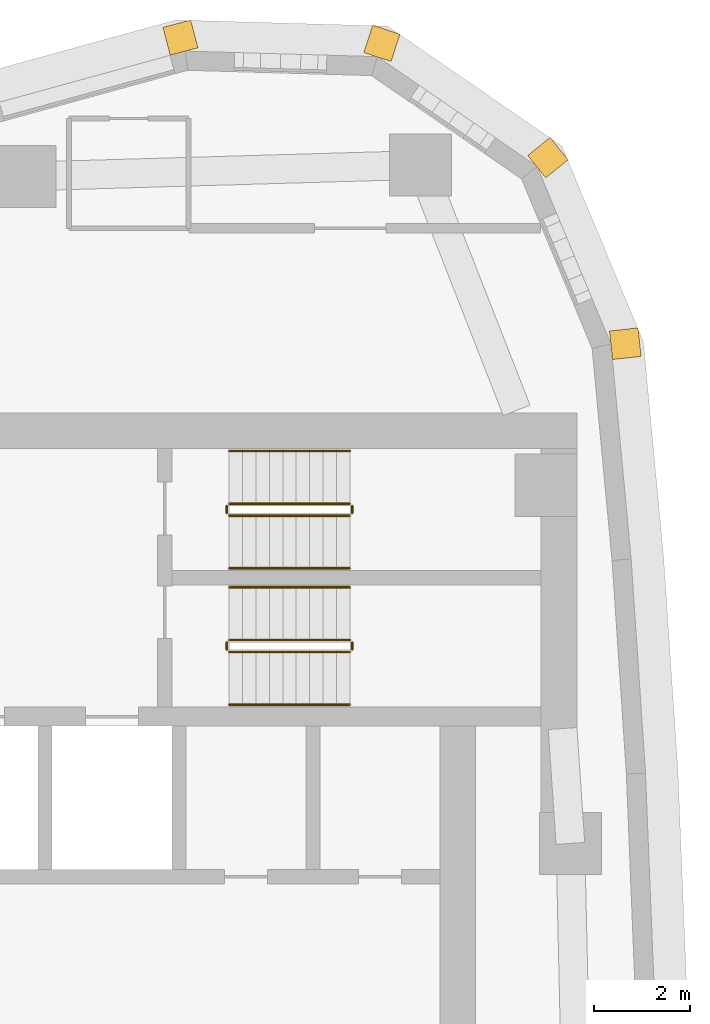
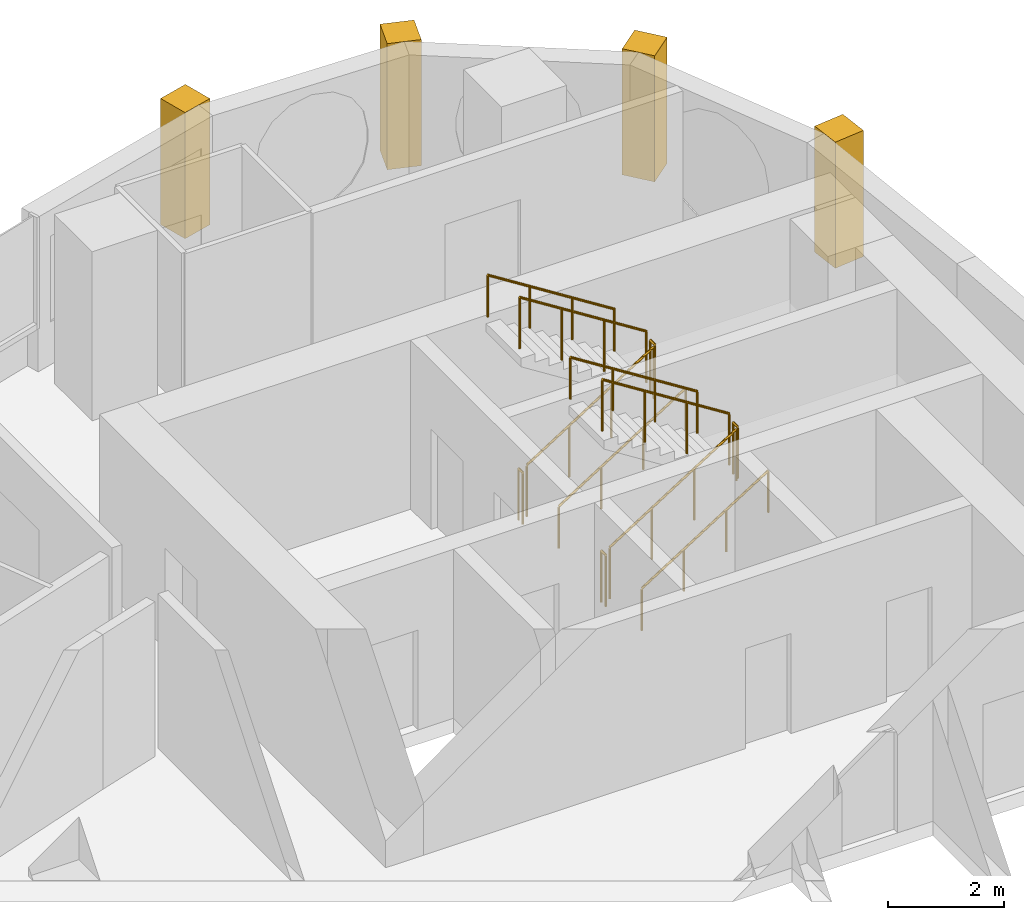
# One storey, part 16 of 16: 12 railings, 4 coverings.
"""IFC4 building model written with IfcOpenShell, lengths in metres."""

from ifc_helpers import new_model, si_unit, direction, frame, frame_2d, origin, origin_2d, place, context, subcontext, project, spatial, rectangle, circle, extrude, material, layer, layer_set, type_object, element, save


model = new_model("IFC4")

# Units and contexts
model_context = context("Model", 3, precision=1e-05, world=origin(), true_north=direction((0.0, 1.0)))
body_context = subcontext(model_context, "Body", "Model", "MODEL_VIEW")
ifc_project = project(units=[si_unit("LENGTHUNIT", "METRE"), si_unit("AREAUNIT", "SQUARE_METRE"), si_unit("VOLUMEUNIT", "CUBIC_METRE"), si_unit("PLANEANGLEUNIT", "RADIAN"), si_unit("MASSUNIT", "GRAM", prefix="KILO")], contexts=[model_context])

# Site, building, storey
site_placement = place(None, origin())
site = spatial("IfcSite", under=ifc_project, at=site_placement, CompositionType="ELEMENT")
building_placement = place(site_placement, origin())
building = spatial("IfcBuilding", under=site, at=building_placement, Name="Ostrand Prow Hotel Tower", CompositionType="ELEMENT")
storey_placement = place(building_placement, frame((0.0, 0.0, 189.699951171875)))
storey = spatial("IfcBuildingStorey", under=building, at=storey_placement, Name="L47", CompositionType="ELEMENT", Elevation=189.699951171875)

# Coverings
ifc_material_1 = material(Name="Limestone cladding", Category="masonry")
ifc_layer = layer(ifc_material_1, 0.60009765625)
ifc_layer_set = layer_set([ifc_layer], Name="Limestone cladding")
covering_type = type_object("IfcCoveringType", Name="Precast stone prow rib 600x600", PredefinedType="CLADDING", material=ifc_layer_set)
for number, where, z_axis, x_axis, name in (
    (1, (65.18017578125, 17.9111328125, 0.60009765625), (0.0, 0.0, 1.0), (0.994255138911, 0.107036062846, 0.0), "Stone corner rib 13a"),
    (2, (63.6279296875, 21.643798828125, 0.60009765625), (0.0, 0.0, 1.0), (0.776922530767, 0.62959620487, 0.0), "Stone corner rib 14a"),
    (3, (60.297607421875, 23.935302734375, 0.60009765625), (0.0, 0.0, 1.0), (0.310484329644, 0.950578498098, 0.0), "Stone corner rib 15a"),
    (4, (56.256591796875, 24.05126953125, 0.60009765625), (0.0, 0.0, 1.0), (-0.255154261231, 0.966900358349, 0.0), "Stone corner rib 15b"),
):
    element("IfcCovering", number, at=place(storey_placement, frame(where, z_axis=z_axis, x_axis=x_axis)), inside=storey, type_object=covering_type, Name=name, PredefinedType="CLADDING", context=body_context, shape_type="SweptSolid", body=[
        extrude(rectangle(XDim=0.599853515625, YDim=0.60009765625, at=frame_2d((0.2998046875, 0.0))), origin(), (0.0, 0.0, 1.0), 2.64990234375),
    ])

# Railings
ifc_material_2 = material(Name="Painted steel", Category="steel")
railing_type_1 = type_object("IfcRailingType", Name="Stair guard 1100", PredefinedType="GUARDRAIL", material=ifc_material_2)
railing_1_placement = place(storey_placement, frame((57.199951171875, 11.5, 0.177490234375)))
element("IfcRailing", 5, at=railing_1_placement, inside=storey, type_object=railing_type_1, Name="L47 ST1C stair guard 1", PredefinedType="GUARDRAIL", context=body_context, shape_type="SweptSolid", body=[
    extrude(circle(Radius=0.02392578125, at=origin_2d()), frame((0.0, 0.0, 1.076171875), z_axis=(0.84456994832, 0.0, 0.535445237532), x_axis=(0.0, 1.0, 0.0)), (0.0, 0.0, 1.0), 2.98388671875),
    extrude(circle(Radius=0.02099609375, at=origin_2d()), origin(), (0.0, 0.0, 1.0), 1.052001953125),
    extrude(circle(Radius=0.02099609375, at=origin_2d()), frame((0.840087890625, 0.0, 0.532470703125)), (0.0, 0.0, 1.0), 1.052001953125),
    extrude(circle(Radius=0.02099609375, at=origin_2d()), frame((1.679931640625, 0.0, 1.065185546875)), (0.0, 0.0, 1.0), 1.052001953125),
    extrude(circle(Radius=0.02099609375, at=origin_2d()), frame((2.52001953125, 0.0, 1.59765625)), (0.0, 0.0, 1.0), 1.052001953125),
])
railing_2_placement = place(storey_placement, frame((59.77001953125, 11.550048828125, 1.775146484375)))
element("IfcRailing", 6, at=railing_2_placement, inside=storey, type_object=railing_type_1, Name="L47 ST1C stair guard 2", PredefinedType="GUARDRAIL", context=body_context, shape_type="SweptSolid", body=[
    extrude(circle(Radius=0.02392578125, at=origin_2d()), frame((0.0, 0.0, 1.076171875), z_axis=(0.0, 1.0, 0.0), x_axis=(-1.0, 0.0, 0.0)), (0.0, 0.0, 1.0), 0.14990234375),
    extrude(circle(Radius=0.02099609375, at=origin_2d()), origin(), (0.0, 0.0, 1.0), 1.052001953125),
    extrude(circle(Radius=0.02099609375, at=origin_2d()), frame((0.0, 0.14990234375, 0.0)), (0.0, 0.0, 1.0), 1.052001953125),
])
railing_3_placement = place(storey_placement, frame((59.719970703125, 11.75, 1.95263671875)))
element("IfcRailing", 7, at=railing_3_placement, inside=storey, type_object=railing_type_1, Name="L47 ST1C stair guard 3", PredefinedType="GUARDRAIL", context=body_context, shape_type="SweptSolid", body=[
    extrude(circle(Radius=0.02392578125, at=origin_2d()), frame((0.0, 0.0, 1.076171875), z_axis=(-0.84460694969, 0.0, 0.535386869969), x_axis=(0.0, -1.0, 0.0)), (0.0, 0.0, 1.0), 2.983642578125),
    extrude(circle(Radius=0.02099609375, at=origin_2d()), origin(), (0.0, 0.0, 1.0), 1.052001953125),
    extrude(circle(Radius=0.02099609375, at=origin_2d()), frame((-0.840087890625, 0.0, 0.532470703125)), (0.0, 0.0, 1.0), 1.052001953125),
    extrude(circle(Radius=0.02099609375, at=origin_2d()), frame((-1.679931640625, 0.0, 1.06494140625)), (0.0, 0.0, 1.0), 1.052001953125),
    extrude(circle(Radius=0.02099609375, at=origin_2d()), frame((-2.52001953125, 0.0, 1.597412109375)), (0.0, 0.0, 1.0), 1.052001953125),
])
railing_4_placement = place(storey_placement, frame((57.14990234375, 11.550048828125, 0.0)))
element("IfcRailing", 8, at=railing_4_placement, inside=storey, type_object=railing_type_1, Name="L47 ST1C stair guard 4", PredefinedType="GUARDRAIL", context=body_context, shape_type="SweptSolid", body=[
    extrude(circle(Radius=0.02392578125, at=origin_2d()), frame((0.0, 0.0, 1.076171875), z_axis=(0.0, 1.0, 0.0), x_axis=(-1.0, 0.0, 0.0)), (0.0, 0.0, 1.0), 0.14990234375),
    extrude(circle(Radius=0.02099609375, at=origin_2d()), origin(), (0.0, 0.0, 1.0), 1.052001953125),
    extrude(circle(Radius=0.02099609375, at=origin_2d()), frame((0.0, 0.14990234375, 0.0)), (0.0, 0.0, 1.0), 1.052001953125),
])
railing_5_placement = place(storey_placement, frame((57.199951171875, 14.35009765625, 0.177490234375)))
element("IfcRailing", 9, at=railing_5_placement, inside=storey, type_object=railing_type_1, Name="L47 ST3C stair guard 1", PredefinedType="GUARDRAIL", context=body_context, shape_type="SweptSolid", body=[
    extrude(circle(Radius=0.02392578125, at=origin_2d()), frame((0.0, 0.0, 1.076171875), z_axis=(0.84456994832, 0.0, 0.535445237532), x_axis=(0.0, 1.0, 0.0)), (0.0, 0.0, 1.0), 2.98388671875),
    extrude(circle(Radius=0.02099609375, at=origin_2d()), origin(), (0.0, 0.0, 1.0), 1.052001953125),
    extrude(circle(Radius=0.02099609375, at=origin_2d()), frame((0.840087890625, 0.0, 0.532470703125)), (0.0, 0.0, 1.0), 1.052001953125),
    extrude(circle(Radius=0.02099609375, at=origin_2d()), frame((1.679931640625, 0.0, 1.065185546875)), (0.0, 0.0, 1.0), 1.052001953125),
    extrude(circle(Radius=0.02099609375, at=origin_2d()), frame((2.52001953125, 0.0, 1.59765625)), (0.0, 0.0, 1.0), 1.052001953125),
])
railing_6_placement = place(storey_placement, frame((59.77001953125, 14.39990234375, 1.775146484375)))
element("IfcRailing", 10, at=railing_6_placement, inside=storey, type_object=railing_type_1, Name="L47 ST3C stair guard 2", PredefinedType="GUARDRAIL", context=body_context, shape_type="SweptSolid", body=[
    extrude(circle(Radius=0.02392578125, at=origin_2d()), frame((0.0, 0.0, 1.076171875), z_axis=(0.0, 1.0, 0.0), x_axis=(-1.0, 0.0, 0.0)), (0.0, 0.0, 1.0), 0.150146484375),
    extrude(circle(Radius=0.02099609375, at=origin_2d()), origin(), (0.0, 0.0, 1.0), 1.052001953125),
    extrude(circle(Radius=0.02099609375, at=origin_2d()), frame((0.0, 0.150146484375, 0.0)), (0.0, 0.0, 1.0), 1.052001953125),
])
railing_7_placement = place(storey_placement, frame((59.719970703125, 14.60009765625, 1.95263671875)))
element("IfcRailing", 11, at=railing_7_placement, inside=storey, type_object=railing_type_1, Name="L47 ST3C stair guard 3", PredefinedType="GUARDRAIL", context=body_context, shape_type="SweptSolid", body=[
    extrude(circle(Radius=0.02392578125, at=origin_2d()), frame((0.0, 0.0, 1.076171875), z_axis=(-0.84460694969, 0.0, 0.535386869969), x_axis=(0.0, -1.0, 0.0)), (0.0, 0.0, 1.0), 2.983642578125),
    extrude(circle(Radius=0.02099609375, at=origin_2d()), origin(), (0.0, 0.0, 1.0), 1.052001953125),
    extrude(circle(Radius=0.02099609375, at=origin_2d()), frame((-0.840087890625, 0.0, 0.532470703125)), (0.0, 0.0, 1.0), 1.052001953125),
    extrude(circle(Radius=0.02099609375, at=origin_2d()), frame((-1.679931640625, 0.0, 1.06494140625)), (0.0, 0.0, 1.0), 1.052001953125),
    extrude(circle(Radius=0.02099609375, at=origin_2d()), frame((-2.52001953125, 0.0, 1.597412109375)), (0.0, 0.0, 1.0), 1.052001953125),
])
railing_8_placement = place(storey_placement, frame((57.14990234375, 14.39990234375, 0.0)))
element("IfcRailing", 12, at=railing_8_placement, inside=storey, type_object=railing_type_1, Name="L47 ST3C stair guard 4", PredefinedType="GUARDRAIL", context=body_context, shape_type="SweptSolid", body=[
    extrude(circle(Radius=0.02392578125, at=origin_2d()), frame((0.0, 0.0, 1.076171875), z_axis=(0.0, 1.0, 0.0), x_axis=(-1.0, 0.0, 0.0)), (0.0, 0.0, 1.0), 0.150146484375),
    extrude(circle(Radius=0.02099609375, at=origin_2d()), origin(), (0.0, 0.0, 1.0), 1.052001953125),
    extrude(circle(Radius=0.02099609375, at=origin_2d()), frame((0.0, 0.150146484375, 0.0)), (0.0, 0.0, 1.0), 1.052001953125),
])
ifc_material_3 = material(Name="Stainless steel", Category="steel")
railing_type_2 = type_object("IfcRailingType", Name="Stair handrail 900", PredefinedType="HANDRAIL", material=ifc_material_3)
railing_9_placement = place(storey_placement, frame((57.199951171875, 10.39990234375, 0.177490234375)))
element("IfcRailing", 13, at=railing_9_placement, inside=storey, type_object=railing_type_2, Name="L47 ST1C stair handrail 1", PredefinedType="HANDRAIL", context=body_context, shape_type="SweptSolid", body=[
    extrude(circle(Radius=0.02392578125, at=origin_2d()), frame((0.0, 0.0, 0.8759765625), z_axis=(0.84456994832, 0.0, 0.535445237532), x_axis=(0.0, 1.0, 0.0)), (0.0, 0.0, 1.0), 2.98388671875),
    extrude(circle(Radius=0.02099609375, at=origin_2d()), origin(), (0.0, 0.0, 1.0), 0.851806640625),
    extrude(circle(Radius=0.02099609375, at=origin_2d()), frame((0.840087890625, 0.0, 0.532470703125)), (0.0, 0.0, 1.0), 0.851806640625),
    extrude(circle(Radius=0.02099609375, at=origin_2d()), frame((1.679931640625, 0.0, 1.065185546875)), (0.0, 0.0, 1.0), 0.851806640625),
    extrude(circle(Radius=0.02099609375, at=origin_2d()), frame((2.52001953125, 0.0, 1.59765625)), (0.0, 0.0, 1.0), 0.851806640625),
])
railing_10_placement = place(storey_placement, frame((59.719970703125, 12.85009765625, 1.95263671875)))
element("IfcRailing", 14, at=railing_10_placement, inside=storey, type_object=railing_type_2, Name="L47 ST1C stair handrail 2", PredefinedType="HANDRAIL", context=body_context, shape_type="SweptSolid", body=[
    extrude(circle(Radius=0.02392578125, at=origin_2d()), frame((0.0, 0.0, 0.8759765625), z_axis=(-0.84460694969, 0.0, 0.535386869969), x_axis=(0.0, -1.0, 0.0)), (0.0, 0.0, 1.0), 2.983642578125),
    extrude(circle(Radius=0.02099609375, at=origin_2d()), origin(), (0.0, 0.0, 1.0), 0.851806640625),
    extrude(circle(Radius=0.02099609375, at=origin_2d()), frame((-0.840087890625, 0.0, 0.532470703125)), (0.0, 0.0, 1.0), 0.851806640625),
    extrude(circle(Radius=0.02099609375, at=origin_2d()), frame((-1.679931640625, 0.0, 1.06494140625)), (0.0, 0.0, 1.0), 0.851806640625),
    extrude(circle(Radius=0.02099609375, at=origin_2d()), frame((-2.52001953125, 0.0, 1.597412109375)), (0.0, 0.0, 1.0), 0.851806640625),
])
railing_11_placement = place(storey_placement, frame((57.199951171875, 13.25, 0.177490234375)))
element("IfcRailing", 15, at=railing_11_placement, inside=storey, type_object=railing_type_2, Name="L47 ST3C stair handrail 1", PredefinedType="HANDRAIL", context=body_context, shape_type="SweptSolid", body=[
    extrude(circle(Radius=0.02392578125, at=origin_2d()), frame((0.0, 0.0, 0.8759765625), z_axis=(0.84456994832, 0.0, 0.535445237532), x_axis=(0.0, 1.0, 0.0)), (0.0, 0.0, 1.0), 2.98388671875),
    extrude(circle(Radius=0.02099609375, at=origin_2d()), origin(), (0.0, 0.0, 1.0), 0.851806640625),
    extrude(circle(Radius=0.02099609375, at=origin_2d()), frame((0.840087890625, 0.0, 0.532470703125)), (0.0, 0.0, 1.0), 0.851806640625),
    extrude(circle(Radius=0.02099609375, at=origin_2d()), frame((1.679931640625, 0.0, 1.065185546875)), (0.0, 0.0, 1.0), 0.851806640625),
    extrude(circle(Radius=0.02099609375, at=origin_2d()), frame((2.52001953125, 0.0, 1.59765625)), (0.0, 0.0, 1.0), 0.851806640625),
])
railing_12_placement = place(storey_placement, frame((59.719970703125, 15.699951171875, 1.95263671875)))
element("IfcRailing", 16, at=railing_12_placement, inside=storey, type_object=railing_type_2, Name="L47 ST3C stair handrail 2", PredefinedType="HANDRAIL", context=body_context, shape_type="SweptSolid", body=[
    extrude(circle(Radius=0.02392578125, at=origin_2d()), frame((0.0, 0.0, 0.8759765625), z_axis=(-0.84460694969, 0.0, 0.535386869969), x_axis=(0.0, -1.0, 0.0)), (0.0, 0.0, 1.0), 2.983642578125),
    extrude(circle(Radius=0.02099609375, at=origin_2d()), origin(), (0.0, 0.0, 1.0), 0.851806640625),
    extrude(circle(Radius=0.02099609375, at=origin_2d()), frame((-0.840087890625, 0.0, 0.532470703125)), (0.0, 0.0, 1.0), 0.851806640625),
    extrude(circle(Radius=0.02099609375, at=origin_2d()), frame((-1.679931640625, 0.0, 1.06494140625)), (0.0, 0.0, 1.0), 0.851806640625),
    extrude(circle(Radius=0.02099609375, at=origin_2d()), frame((-2.52001953125, 0.0, 1.597412109375)), (0.0, 0.0, 1.0), 0.851806640625),
])

save(model, "model.ifc")
